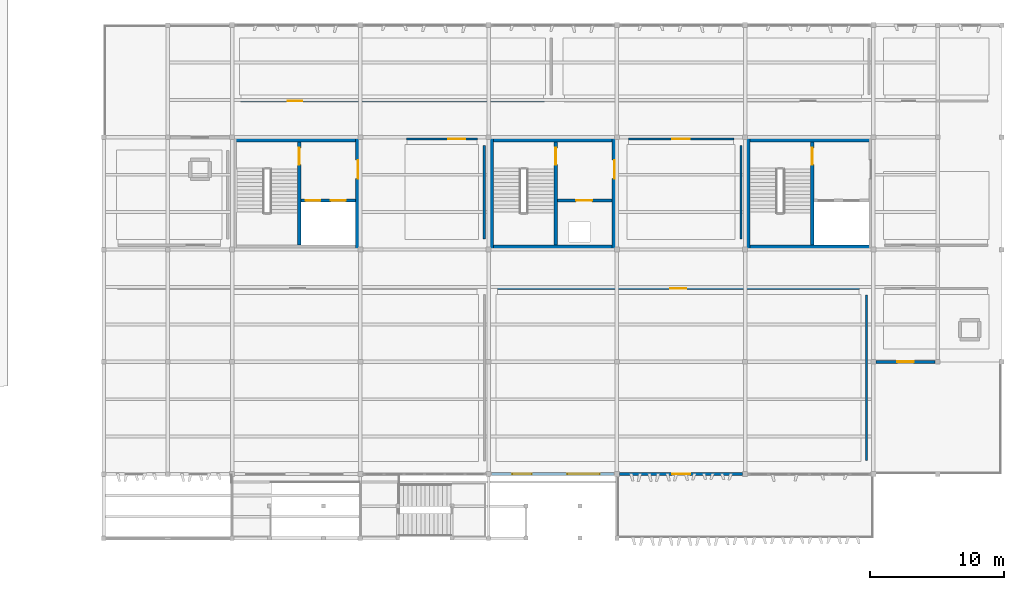
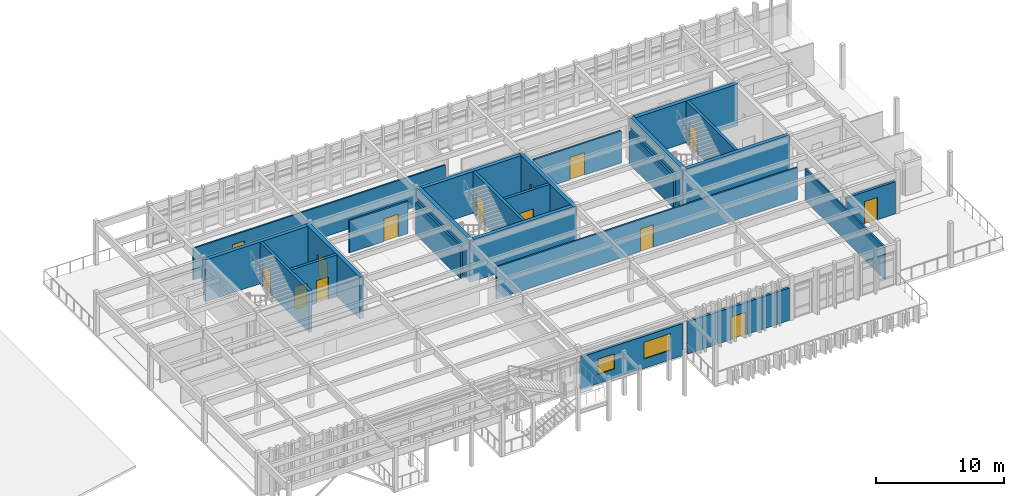
# One storey, part 14 of 18: 24 walls, 14 doors, 2 windows, 16 openings.
"""IFC4 building model written with IfcOpenShell, lengths in metres."""

import ifcopenshell
import ifcopenshell.guid

model = None  # the IFC model being written
_history = None  # IfcOwnerHistory: only IFC2X3 demands one
_inside = {}  # id of a spatial element -> (the spatial element, [elements in it])
_under = {}  # id of a project, library or spatial element -> (it, [spatial elements below it])
_declared = {}  # id of a project -> (the project, [libraries it declares])
_typed = {}  # id of a type object -> (the type object, [elements of that type])
_made_of = {}  # id of a material, layer set ... -> (it, [elements and type objects made of it])


def new_model(schema):
    """Start an empty IFC model of exactly this schema.

    Asked for "IFC4X3", IfcOpenShell would pick the latest addendum, in which some entities
    have other attributes; the version numbers below select the first issue.
    IFC2X3 requires an IfcOwnerHistory on every rooted entity: one is made here for all.
    """
    global model, _history
    if schema == "IFC4X3":
        model = ifcopenshell.file(schema_version=(4, 3, 0, 0))
    else:
        model = ifcopenshell.file(schema=schema)
    _inside.clear()
    _under.clear()
    _declared.clear()
    _typed.clear()
    _made_of.clear()
    _history = None
    if model.schema == "IFC2X3":
        org = make("IfcOrganization", Name="unknown")
        user = make(
            "IfcPersonAndOrganization",
            ThePerson=make("IfcPerson", FamilyName="unknown"),
            TheOrganization=org,
        )
        app = make(
            "IfcApplication",
            ApplicationDeveloper=org,
            Version="unknown",
            ApplicationFullName="unknown",
            ApplicationIdentifier="unknown",
        )
        _history = make(
            "IfcOwnerHistory",
            OwningUser=user,
            OwningApplication=app,
            ChangeAction="ADDED",
            CreationDate=0,
        )
    return model


def make(cls, **values):
    """One entity of the class cls with the attributes given. An attribute that is None is left unset."""
    return model.create_entity(
        cls, **{name: value for name, value in values.items() if value is not None}
    )


def rooted(cls, **values):
    """An entity with a GlobalId (a new one), such as an element, a storey or a relation."""
    return make(cls, GlobalId=ifcopenshell.guid.new(), OwnerHistory=_history, **values)


def si_unit(unit_type, name, prefix=None):
    """IfcSIUnit, for example si_unit("LENGTHUNIT", "METRE", prefix="MILLI")."""
    return make("IfcSIUnit", UnitType=unit_type, Prefix=prefix, Name=name)


def assignment(units):
    """IfcUnitAssignment: the units of a project."""
    return None if units is None else make("IfcUnitAssignment", Units=units)


def point(xyz):
    """IfcCartesianPoint."""
    return None if xyz is None else make("IfcCartesianPoint", Coordinates=xyz)


def direction(xyz):
    """IfcDirection."""
    return None if xyz is None else make("IfcDirection", DirectionRatios=xyz)


def frame(location, z_axis=None, x_axis=None):
    """IfcAxis2Placement3D, a coordinate frame: its origin and axes. An axis left out is left unset."""
    return make(
        "IfcAxis2Placement3D",
        Location=point(location),
        Axis=direction(z_axis),
        RefDirection=direction(x_axis),
    )


def frame_2d(location, x_axis=None):
    """IfcAxis2Placement2D, a coordinate frame in the plane: its origin and x axis."""
    return make(
        "IfcAxis2Placement2D", Location=point(location), RefDirection=direction(x_axis)
    )


def origin():
    """The frame at (0, 0, 0) with its axes left unset."""
    return frame((0.0, 0.0, 0.0))


def place(relative_to, where):
    """IfcLocalPlacement: puts the frame where relative to a parent placement (None: the world)."""
    return make(
        "IfcLocalPlacement", PlacementRelTo=relative_to, RelativePlacement=where
    )


def context(
    kind, dimensions, precision=None, world=None, true_north=None, identifier=None
):
    """IfcGeometricRepresentationContext, for example the 3D "Model" context."""
    return make(
        "IfcGeometricRepresentationContext",
        ContextIdentifier=identifier,
        ContextType=kind,
        CoordinateSpaceDimension=dimensions,
        Precision=precision,
        WorldCoordinateSystem=world,
        TrueNorth=true_north,
    )


def subcontext(parent, identifier, kind, view, scale=None):
    """IfcGeometricRepresentationSubContext, for example "Body" below "Model"."""
    return make(
        "IfcGeometricRepresentationSubContext",
        ContextIdentifier=identifier,
        ContextType=kind,
        ParentContext=parent,
        TargetScale=scale,
        TargetView=view,
    )


def project(units=None, contexts=None):
    """IfcProject with its units and contexts."""
    return rooted(
        "IfcProject",
        Name="project",
        RepresentationContexts=contexts,
        UnitsInContext=assignment(units),
    )


def spatial(cls, under=None, at=None, **own):
    """A site, building, storey or space (cls), placed at a placement, below another one or the project."""
    s = rooted(cls, ObjectPlacement=at, **own)
    if under is not None:
        _under.setdefault(under.id(), (under, []))[1].append(s)
    return s


def profile(cls, at=None, kind="AREA", **sizes):
    """A parametric profile (cls). Its sizes go by their IFC names, for example OverallWidth=200.0."""
    return make(cls, ProfileType=kind, Position=at, **sizes)


def rectangle(**sizes):
    """IfcRectangleProfileDef."""
    return profile("IfcRectangleProfileDef", **sizes)


def extrude(swept, where, along, depth):
    """IfcExtrudedAreaSolid: the profile swept, set in the frame where, extruded along a direction by depth."""
    return make(
        "IfcExtrudedAreaSolid",
        SweptArea=swept,
        Position=where,
        ExtrudedDirection=direction(along),
        Depth=depth,
    )


def shape(context_of_items, identifier, shape_type, items):
    """IfcShapeRepresentation: the items that make up one representation, for example the "Body"."""
    return make(
        "IfcShapeRepresentation",
        ContextOfItems=context_of_items,
        RepresentationIdentifier=identifier,
        RepresentationType=shape_type,
        Items=items,
    )


def material(Name=None, Category=None):
    """IfcMaterial."""
    return make("IfcMaterial", Name=Name, Category=Category)


def layer(
    of_material, thickness, ventilated=None, Name=None, Category=None, Priority=None
):
    """IfcMaterialLayer: one layer of a wall or slab, of a material (None: an air gap)."""
    return make(
        "IfcMaterialLayer",
        Material=of_material,
        LayerThickness=thickness,
        IsVentilated=ventilated,
        Name=Name,
        Category=Category,
        Priority=Priority,
    )


def layer_set(layers, Name=None):
    """IfcMaterialLayerSet."""
    return make("IfcMaterialLayerSet", MaterialLayers=layers, LayerSetName=Name)


def made_of(thing, what):
    """Note that an element or type object is made of a material, layer set ...; save() writes the relation."""
    if what is not None:
        _made_of.setdefault(what.id(), (what, []))[1].append(thing)
    return thing


def type_object(cls, material=None, **own):
    """A type object (cls), such as IfcWallType, which elements share."""
    return made_of(rooted(cls, **own), material)


def element(
    cls,
    number,
    at=None,
    inside=None,
    cuts=None,
    type_object=None,
    material=None,
    context=None,
    identifier="Body",
    shape_type=None,
    held_by="IfcProductDefinitionShape",
    body=None,
    shapes=None,
    **own,
):
    """One element of the class cls, such as IfcWall. Its Tag is "e" and its number.

    at: its placement. inside: the storey or other place that contains it. cuts: it is an
    opening in that element (IfcRelVoidsElement). A single representation is given by context,
    identifier, shape_type and body (its items); several are given by shapes. held_by: the class
    of the entity that holds the representations. save() writes the other relations.
    """
    e = rooted(cls, Tag="e%d" % number, ObjectPlacement=at, **own)
    if body is not None:
        shapes = [shape(context, identifier, shape_type, body)]
    if shapes is not None:
        e.Representation = make(held_by, Representations=shapes)
    if inside is not None:
        _inside.setdefault(inside.id(), (inside, []))[1].append(e)
    if cuts is not None:
        rooted(
            "IfcRelVoidsElement", RelatingBuildingElement=cuts, RelatedOpeningElement=e
        )
    if type_object is not None:
        _typed.setdefault(type_object.id(), (type_object, []))[1].append(e)
    return made_of(e, material)


def fill(opening, filler):
    """IfcRelFillsElement: the door or window that sits in an opening."""
    return rooted(
        "IfcRelFillsElement",
        RelatingOpeningElement=opening,
        RelatedBuildingElement=filler,
    )


def aggregate(whole, parts):
    """IfcRelAggregates: a whole, such as a stair, and the parts it consists of."""
    return rooted("IfcRelAggregates", RelatingObject=whole, RelatedObjects=parts)


def save(model, path):
    """Write the relations noted so far, then the file.

    IfcRelAggregates (storeys below a building ...), IfcRelContainedInSpatialStructure (elements
    in a storey), IfcRelDefinesByType, IfcRelAssociatesMaterial and IfcRelDeclares: one each for
    every whole, place, type object, material and project.
    """
    for whole, parts in _under.values():
        aggregate(whole, parts)
    for where, things in _inside.values():
        rooted(
            "IfcRelContainedInSpatialStructure",
            RelatedElements=things,
            RelatingStructure=where,
        )
    for kind, things in _typed.values():
        rooted("IfcRelDefinesByType", RelatedObjects=things, RelatingType=kind)
    for what, things in _made_of.values():
        rooted("IfcRelAssociatesMaterial", RelatedObjects=things, RelatingMaterial=what)
    for by, libraries in _declared.values():
        rooted("IfcRelDeclares", RelatingContext=by, RelatedDefinitions=libraries)
    model.write(path)


model = new_model("IFC4")

# Units and contexts
model_context = context("Model", 3, precision=1e-05, world=origin(), true_north=direction((0.0, 1.0)))
body_context = subcontext(model_context, "Body", "Model", "MODEL_VIEW")
ifc_project = project(units=[si_unit("LENGTHUNIT", "METRE"), si_unit("AREAUNIT", "SQUARE_METRE"), si_unit("VOLUMEUNIT", "CUBIC_METRE"), si_unit("PLANEANGLEUNIT", "RADIAN"), si_unit("MASSUNIT", "GRAM", prefix="KILO")], contexts=[model_context])

# Site, building, storey
site_placement = place(None, origin())
site = spatial("IfcSite", under=ifc_project, at=site_placement, CompositionType="ELEMENT")
building_placement = place(site_placement, origin())
building = spatial("IfcBuilding", under=site, at=building_placement, Name="Kolvemor Railside Polytechnic", CompositionType="ELEMENT")
storey_placement = place(building_placement, frame((0.0, 0.0, 18.60009765625)))
storey = spatial("IfcBuildingStorey", under=building, at=storey_placement, Name="L04", CompositionType="ELEMENT", Elevation=18.60009765625)

# Wall
ifc_material_1 = material(Name="Concrete C40/50", Category="concrete")
ifc_layer_1 = layer(ifc_material_1, 0.35009765625, Name="WL-CORE-350")
ifc_layer_set_1 = layer_set([ifc_layer_1], Name="Concrete C40/50")
wall_type_1 = type_object("IfcWallType", Name="WL-CORE-350", PredefinedType="SHEAR", material=ifc_layer_set_1)
wall_1_placement = place(storey_placement, frame((67.199951171875, 29.824951171875, 0.0), z_axis=(0.0, 0.0, 1.0), x_axis=(1.0, 0.0, 0.0)))
element("IfcWall", 1, at=wall_1_placement, inside=storey, type_object=wall_type_1, Name="CORE-1 North Core Wall L04", PredefinedType="SHEAR", context=body_context, shape_type="SweptSolid", body=[
    extrude(rectangle(XDim=9.60009765625, YDim=0.35009765625, at=frame_2d((4.800048828125, 0.0))), origin(), (0.0, 0.0, 1.0), 3.969970703125),
])

# Wall, opening, door
wall_2_placement = place(storey_placement, frame((76.625, 21.60009765625, 0.0), z_axis=(0.0, 0.0, 1.0), x_axis=(0.0, 1.0, 0.0)))
wall_2 = element("IfcWall", 2, at=wall_2_placement, inside=storey, type_object=wall_type_1, Name="CORE-1 East Core Wall L04", PredefinedType="SHEAR", context=body_context, shape_type="SweptSolid", body=[
    extrude(rectangle(XDim=8.39990234375, YDim=0.35009765625, at=frame_2d((4.199951171875, 0.0))), origin(), (0.0, 0.0, 1.0), 3.969970703125),
])
opening_1_placement = place(wall_2_placement, frame((5.300048828125, 0.0, 0.0)))
opening_1 = element("IfcOpeningElement", 3, at=opening_1_placement, cuts=wall_2, Name="Opening D-LOB-1-L04", PredefinedType="OPENING", context=body_context, shape_type="SweptSolid", body=[
    extrude(rectangle(XDim=1.39990234375, YDim=2.14990234375, at=frame_2d((0.699951171875, 1.074951171875))), frame((0.0, 0.18505859375, 0.0), z_axis=(0.0, -1.0, 0.0), x_axis=(1.0, 0.0, 0.0)), (0.0, 0.0, 1.0), 0.3701171875),
])
ifc_material_2 = material(Name="Fire-rated hardwood and brushed stainless-steel door", Category="steel")
door_type_1 = type_object("IfcDoorType", Name="DR-FD60-140x215", OperationType="NOTDEFINED", PredefinedType="DOOR", material=ifc_material_2)
door_1_placement = place(opening_1_placement, origin())
door_1 = element("IfcDoor", 4, at=door_1_placement, inside=storey, type_object=door_type_1, Name="Core Lobby Fire Door CORE-1 L04", OperationType="SINGLE_SWING_RIGHT", OverallHeight=2.14990234375, OverallWidth=1.39990234375, PredefinedType="DOOR", context=body_context, shape_type="SweptSolid", body=[
    extrude(rectangle(XDim=1.39990234375, YDim=2.14990234375, at=frame_2d((0.699951171875, 1.074951171875))), frame((0.0, 0.02490234375, 0.0), z_axis=(0.0, -1.0, 0.0), x_axis=(1.0, 0.0, 0.0)), (0.0, 0.0, 1.0), 0.050048828125),
])
fill(opening_1, door_1)

# Walls
for number, where, z_axis, x_axis, name in (
    (5, (105.60009765625, 29.824951171875, 0.0), (0.0, 0.0, 1.0), (1.0, 0.0, 0.0), "CORE-2 North Core Wall L04"),
    (6, (105.60009765625, 21.77490234375, 0.0), (0.0, 0.0, 1.0), (1.0, 0.0, 0.0), "CORE-2 South Core Wall L04"),
):
    element("IfcWall", number, at=place(storey_placement, frame(where, z_axis=z_axis, x_axis=x_axis)), inside=storey, type_object=wall_type_1, Name=name, PredefinedType="SHEAR", context=body_context, shape_type="SweptSolid", body=[
        extrude(rectangle(XDim=9.599853515625, YDim=0.35009765625, at=frame_2d((4.7998046875, 0.0))), origin(), (0.0, 0.0, 1.0), 3.969970703125),
    ])
wall_3_placement = place(storey_placement, frame((105.77490234375, 21.60009765625, 0.0), z_axis=(0.0, 0.0, 1.0), x_axis=(0.0, 1.0, 0.0)))
element("IfcWall", 7, at=wall_3_placement, inside=storey, type_object=wall_type_1, Name="CORE-2 West Core Wall L04", PredefinedType="SHEAR", context=body_context, shape_type="SweptSolid", body=[
    extrude(rectangle(XDim=8.39990234375, YDim=0.35009765625, at=frame_2d((4.199951171875, 0.0))), origin(), (0.0, 0.0, 1.0), 3.969970703125),
])
for number, where, z_axis, x_axis, name in (
    (8, (86.39990234375, 29.824951171875, 0.0), (0.0, 0.0, 1.0), (1.0, 0.0, 0.0), "CORE-3 North Core Wall L04"),
    (9, (86.39990234375, 21.77490234375, 0.0), (0.0, 0.0, 1.0), (1.0, 0.0, 0.0), "CORE-3 South Core Wall L04"),
):
    element("IfcWall", number, at=place(storey_placement, frame(where, z_axis=z_axis, x_axis=x_axis)), inside=storey, type_object=wall_type_1, Name=name, PredefinedType="SHEAR", context=body_context, shape_type="SweptSolid", body=[
        extrude(rectangle(XDim=9.60009765625, YDim=0.35009765625, at=frame_2d((4.800048828125, 0.0))), origin(), (0.0, 0.0, 1.0), 3.969970703125),
    ])
wall_4_placement = place(storey_placement, frame((86.574951171875, 21.60009765625, 0.0), z_axis=(0.0, 0.0, 1.0), x_axis=(0.0, 1.0, 0.0)))
element("IfcWall", 10, at=wall_4_placement, inside=storey, type_object=wall_type_1, Name="CORE-3 West Core Wall L04", PredefinedType="SHEAR", context=body_context, shape_type="SweptSolid", body=[
    extrude(rectangle(XDim=8.39990234375, YDim=0.35009765625, at=frame_2d((4.199951171875, 0.0))), origin(), (0.0, 0.0, 1.0), 3.969970703125),
])

# Wall, opening, door
wall_5_placement = place(storey_placement, frame((95.824951171875, 21.60009765625, 0.0), z_axis=(0.0, 0.0, 1.0), x_axis=(0.0, 1.0, 0.0)))
wall_5 = element("IfcWall", 11, at=wall_5_placement, inside=storey, type_object=wall_type_1, Name="CORE-3 East Core Wall L04", PredefinedType="SHEAR", context=body_context, shape_type="SweptSolid", body=[
    extrude(rectangle(XDim=8.39990234375, YDim=0.35009765625, at=frame_2d((4.199951171875, 0.0))), origin(), (0.0, 0.0, 1.0), 3.969970703125),
])
opening_2_placement = place(wall_5_placement, frame((5.300048828125, 0.0, 0.0)))
opening_2 = element("IfcOpeningElement", 12, at=opening_2_placement, cuts=wall_5, Name="Opening D-LOB-3-L04", PredefinedType="OPENING", context=body_context, shape_type="SweptSolid", body=[
    extrude(rectangle(XDim=1.39990234375, YDim=2.14990234375, at=frame_2d((0.699951171875, 1.074951171875))), frame((0.0, 0.18505859375, 0.0), z_axis=(0.0, -1.0, 0.0), x_axis=(1.0, 0.0, 0.0)), (0.0, 0.0, 1.0), 0.3701171875),
])
door_2_placement = place(opening_2_placement, origin())
door_2 = element("IfcDoor", 13, at=door_2_placement, inside=storey, type_object=door_type_1, Name="Core Lobby Fire Door CORE-3 L04", OperationType="SINGLE_SWING_LEFT", OverallHeight=2.14990234375, OverallWidth=1.39990234375, PredefinedType="DOOR", context=body_context, shape_type="SweptSolid", body=[
    extrude(rectangle(XDim=1.39990234375, YDim=2.14990234375, at=frame_2d((0.699951171875, 1.074951171875))), frame((0.0, 0.02490234375, 0.0), z_axis=(0.0, -1.0, 0.0), x_axis=(1.0, 0.0, 0.0)), (0.0, 0.0, 1.0), 0.050048828125),
])
fill(opening_2, door_2)

# Wall, openings, windows
ifc_material_3 = material(Name="Cross-laminated timber CLT E1", Category="wood")
ifc_layer_2 = layer(ifc_material_3, 0.22509765625, Name="WL-EXT-TM-225")
ifc_layer_set_2 = layer_set([ifc_layer_2], Name="Cross-laminated timber CLT E1")
wall_type_2 = type_object("IfcWallType", Name="WL-EXT-TM-225", PredefinedType="SOLIDWALL", material=ifc_layer_set_2)
wall_6_placement = place(storey_placement, frame((86.60009765625, 4.800048828125, 0.0), z_axis=(0.0, 0.0, 1.0), x_axis=(1.0, 0.0, 0.0)))
wall_6 = element("IfcWall", 14, at=wall_6_placement, inside=storey, type_object=wall_type_2, Name="Exterior Wall L04-0136", PredefinedType="SOLIDWALL", context=body_context, shape_type="SweptSolid", body=[
    extrude(rectangle(XDim=9.199951171875, YDim=0.22509765625, at=frame_2d((4.60009765625, 0.0))), origin(), (0.0, 0.0, 1.0), 3.06982421875),
])
opening_3_placement = place(wall_6_placement, frame((1.574951171875, 0.0, 0.89990234375)))
opening_3 = element("IfcOpeningElement", 15, at=opening_3_placement, cuts=wall_6, Name="Opening WN-M02", PredefinedType="OPENING", context=body_context, shape_type="SweptSolid", body=[
    extrude(rectangle(XDim=1.449951171875, YDim=1.449951171875, at=frame_2d((0.72509765625, 0.72509765625))), frame((0.0, 0.12255859375, 0.0), z_axis=(0.0, -1.0, 0.0), x_axis=(1.0, 0.0, 0.0)), (0.0, 0.0, 1.0), 0.2451171875),
])
opening_4_placement = place(wall_6_placement, frame((5.699951171875, 0.0, 0.89990234375)))
opening_4 = element("IfcOpeningElement", 16, at=opening_4_placement, cuts=wall_6, Name="Opening WN-STU3", PredefinedType="OPENING", context=body_context, shape_type="SweptSolid", body=[
    extrude(rectangle(XDim=2.39990234375, YDim=1.60009765625, at=frame_2d((1.199951171875, 0.800048828125))), frame((0.0, 0.12255859375, 0.0), z_axis=(0.0, -1.0, 0.0), x_axis=(1.0, 0.0, 0.0)), (0.0, 0.0, 1.0), 0.2451171875),
])
ifc_material_4 = material(Name="Hurricane-laminated thermally broken aluminium window", Category="aluminium")
window_type_1 = type_object("IfcWindowType", Name="WN-MOD-145x145", PartitioningType="SINGLE_PANEL", PredefinedType="WINDOW", material=ifc_material_4)
window_1_placement = place(opening_3_placement, origin())
window_1 = element("IfcWindow", 17, at=window_1_placement, inside=storey, type_object=window_type_1, Name="Window L04-0146", OverallHeight=1.449951171875, OverallWidth=1.449951171875, PartitioningType="SINGLE_PANEL", PredefinedType="WINDOW", context=body_context, shape_type="SweptSolid", body=[
    extrude(rectangle(XDim=1.449951171875, YDim=1.449951171875, at=frame_2d((0.72509765625, 0.72509765625))), frame((0.0, 0.030029296875, 0.0), z_axis=(0.0, -1.0, 0.0), x_axis=(1.0, 0.0, 0.0)), (0.0, 0.0, 1.0), 0.06005859375),
])
fill(opening_3, window_1)
ifc_material_5 = material(Name="Hurricane-laminated thermally broken aluminium window", Category="aluminium")
window_type_2 = type_object("IfcWindowType", Name="WN-STU-240x160", PartitioningType="DOUBLE_PANEL_VERTICAL", PredefinedType="WINDOW", material=ifc_material_5)
window_2_placement = place(opening_4_placement, origin())
window_2 = element("IfcWindow", 18, at=window_2_placement, inside=storey, type_object=window_type_2, Name="Window L04-0147", OverallHeight=1.60009765625, OverallWidth=2.39990234375, PartitioningType="SINGLE_PANEL", PredefinedType="WINDOW", context=body_context, shape_type="SweptSolid", body=[
    extrude(rectangle(XDim=2.39990234375, YDim=1.60009765625, at=frame_2d((1.199951171875, 0.800048828125))), frame((0.0, 0.030029296875, 0.0), z_axis=(0.0, -1.0, 0.0), x_axis=(1.0, 0.0, 0.0)), (0.0, 0.0, 1.0), 0.06005859375),
])
fill(opening_4, window_2)

# Wall, opening, door
wall_7_placement = place(storey_placement, frame((96.199951171875, 4.800048828125, 0.0), z_axis=(0.0, 0.0, 1.0), x_axis=(1.0, 0.0, 0.0)))
wall_7 = element("IfcWall", 19, at=wall_7_placement, inside=storey, type_object=wall_type_2, Name="Exterior Wall L04-0137", PredefinedType="SOLIDWALL", context=body_context, shape_type="SweptSolid", body=[
    extrude(rectangle(XDim=9.199951171875, YDim=0.22509765625, at=frame_2d((4.60009765625, 0.0))), origin(), (0.0, 0.0, 1.0), 3.06982421875),
])
opening_5_placement = place(wall_7_placement, frame((3.925048828125, 0.0, 0.0)))
opening_5 = element("IfcOpeningElement", 20, at=opening_5_placement, cuts=wall_7, Name="Opening D-TER-L04SEP", PredefinedType="OPENING", context=body_context, shape_type="SweptSolid", body=[
    extrude(rectangle(XDim=1.35009765625, YDim=2.14990234375, at=frame_2d((0.675048828125, 1.074951171875))), frame((0.0, 0.12255859375, 0.0), z_axis=(0.0, -1.0, 0.0), x_axis=(1.0, 0.0, 0.0)), (0.0, 0.0, 1.0), 0.2451171875),
])
ifc_material_6 = material(Name="Marine-grade thermally broken aluminium and laminated glass door", Category="aluminium")
door_type_2 = type_object("IfcDoorType", Name="DR-TER-135x215", OperationType="NOTDEFINED", PredefinedType="DOOR", material=ifc_material_6)
door_3_placement = place(opening_5_placement, origin())
door_3 = element("IfcDoor", 21, at=door_3_placement, inside=storey, type_object=door_type_2, Name="Exterior Door D-TER-L04SEP", OperationType="SINGLE_SWING_RIGHT", OverallHeight=2.14990234375, OverallWidth=1.35009765625, PredefinedType="DOOR", context=body_context, shape_type="SweptSolid", body=[
    extrude(rectangle(XDim=1.35009765625, YDim=2.14990234375, at=frame_2d((0.675048828125, 1.074951171875))), frame((0.0, 0.02490234375, 0.0), z_axis=(0.0, -1.0, 0.0), x_axis=(1.0, 0.0, 0.0)), (0.0, 0.0, 1.0), 0.050048828125),
])
fill(opening_5, door_3)

wall_8_placement = place(storey_placement, frame((119.800048828125, 13.199951171875, 0.0), z_axis=(0.0, 0.0, 1.0), x_axis=(-1.0, 0.0, 0.0)))
wall_8 = element("IfcWall", 22, at=wall_8_placement, inside=storey, type_object=wall_type_2, Name="Exterior Wall L04-0173", PredefinedType="SOLIDWALL", context=body_context, shape_type="SweptSolid", body=[
    extrude(rectangle(XDim=4.400146484375, YDim=0.22509765625, at=frame_2d((2.2001953125, 0.0))), origin(), (0.0, 0.0, 1.0), 3.06982421875),
])
opening_6_placement = place(wall_8_placement, frame((1.60009765625, 0.0, 0.0)))
opening_6 = element("IfcOpeningElement", 23, at=opening_6_placement, cuts=wall_8, Name="Opening D-TER-L04SE", PredefinedType="OPENING", context=body_context, shape_type="SweptSolid", body=[
    extrude(rectangle(XDim=1.199951171875, YDim=2.14990234375, at=frame_2d((0.60009765625, 1.074951171875))), frame((0.0, 0.12255859375, 0.0), z_axis=(0.0, -1.0, 0.0), x_axis=(1.0, 0.0, 0.0)), (0.0, 0.0, 1.0), 0.2451171875),
])
ifc_material_7 = material(Name="Marine-grade thermally broken aluminium and laminated glass door", Category="aluminium")
door_type_3 = type_object("IfcDoorType", Name="DR-TER-120x215", OperationType="NOTDEFINED", PredefinedType="DOOR", material=ifc_material_7)
door_4_placement = place(opening_6_placement, origin())
door_4 = element("IfcDoor", 24, at=door_4_placement, inside=storey, type_object=door_type_3, Name="Exterior Door D-TER-L04SE", OperationType="SINGLE_SWING_LEFT", OverallHeight=2.14990234375, OverallWidth=1.199951171875, PredefinedType="DOOR", context=body_context, shape_type="SweptSolid", body=[
    extrude(rectangle(XDim=1.199951171875, YDim=2.14990234375, at=frame_2d((0.60009765625, 1.074951171875))), frame((0.0, 0.02490234375, 0.0), z_axis=(0.0, -1.0, 0.0), x_axis=(1.0, 0.0, 0.0)), (0.0, 0.0, 1.0), 0.050048828125),
])
fill(opening_6, door_4)

ifc_material_8 = material(Name="Seminar acoustic partition")
ifc_layer_3 = layer(ifc_material_8, 0.139892578125, Name="WL-PART-140")
ifc_layer_set_3 = layer_set([ifc_layer_3], Name="Seminar acoustic partition")
wall_type_3 = type_object("IfcWallType", Name="WL-PART-140", PredefinedType="PARTITIONING", material=ifc_layer_set_3)
wall_9_placement = place(storey_placement, frame((67.85009765625, 32.719970703125, 0.0), z_axis=(0.0, 0.0, 1.0), x_axis=(1.0, 0.0, 0.0)))
wall_9 = element("IfcWall", 25, at=wall_9_placement, inside=storey, type_object=wall_type_3, Name="Partition Wall L04-0204", PredefinedType="PARTITIONING", context=body_context, shape_type="SweptSolid", body=[
    extrude(rectangle(XDim=22.699951171875, YDim=0.139892578125, at=frame_2d((11.35009765625, 0.0))), origin(), (0.0, 0.0, 1.0), 3.0498046875),
])
opening_7_placement = place(wall_9_placement, frame((3.52294921875, 0.0, 0.0)))
opening_7 = element("IfcOpeningElement", 26, at=opening_7_placement, cuts=wall_9, Name="Opening D-04116", PredefinedType="OPENING", context=body_context, shape_type="SweptSolid", body=[
    extrude(rectangle(XDim=1.080078125, YDim=2.14990234375, at=frame_2d((0.5400390625, 1.074951171875))), frame((0.0, 0.079833984375, 0.0), z_axis=(0.0, -1.0, 0.0), x_axis=(1.0, 0.0, 0.0)), (0.0, 0.0, 1.0), 0.159912109375),
])
ifc_material_9 = material(Name="Solid hardwood acoustic door", Category="wood")
door_type_4 = type_object("IfcDoorType", Name="DR-SEM-108x215", OperationType="NOTDEFINED", PredefinedType="DOOR", material=ifc_material_9)
door_5_placement = place(opening_7_placement, origin())
door_5 = element("IfcDoor", 27, at=door_5_placement, inside=storey, type_object=door_type_4, Name="Room Door D-04116 (Seminar Room 401)", OperationType="SINGLE_SWING_LEFT", OverallHeight=2.14990234375, OverallWidth=1.080078125, PredefinedType="DOOR", context=body_context, shape_type="SweptSolid", body=[
    extrude(rectangle(XDim=1.080078125, YDim=2.14990234375, at=frame_2d((0.5400390625, 1.074951171875))), frame((0.0, 0.02490234375, 0.0), z_axis=(0.0, -1.0, 0.0), x_axis=(1.0, 0.0, 0.0)), (0.0, 0.0, 1.0), 0.050048828125),
])
fill(opening_7, door_5)

ifc_material_10 = material(Name="Acoustic studio partition")
ifc_layer_4 = layer(ifc_material_10, 0.14990234375, Name="WL-PART-150")
ifc_layer_set_4 = layer_set([ifc_layer_4], Name="Acoustic studio partition")
wall_type_4 = type_object("IfcWallType", Name="WL-PART-150", PredefinedType="PARTITIONING", material=ifc_layer_set_4)
wall_10_placement = place(storey_placement, frame((87.050048828125, 18.679931640625, 0.0), z_axis=(0.0, 0.0, 1.0), x_axis=(1.0, 0.0, 0.0)))
wall_10 = element("IfcWall", 28, at=wall_10_placement, inside=storey, type_object=wall_type_4, Name="Partition Wall L04-0193", PredefinedType="PARTITIONING", context=body_context, shape_type="SweptSolid", body=[
    extrude(rectangle(XDim=27.099853515625, YDim=0.14990234375, at=frame_2d((13.5498046875, 0.0))), origin(), (0.0, 0.0, 1.0), 3.0498046875),
])
opening_8_placement = place(wall_10_placement, frame((12.9599609375, 0.0, 0.0)))
opening_8 = element("IfcOpeningElement", 29, at=opening_8_placement, cuts=wall_10, Name="Opening D-04109", PredefinedType="OPENING", context=body_context, shape_type="SweptSolid", body=[
    extrude(rectangle(XDim=1.179931640625, YDim=2.14990234375, at=frame_2d((0.58984375, 1.074951171875))), frame((0.0, 0.0849609375, 0.0), z_axis=(0.0, -1.0, 0.0), x_axis=(1.0, 0.0, 0.0)), (0.0, 0.0, 1.0), 0.169921875),
])
ifc_material_11 = material(Name="Solid hardwood acoustic door", Category="wood")
door_type_5 = type_object("IfcDoorType", Name="DR-STU-118x215", OperationType="NOTDEFINED", PredefinedType="DOOR", material=ifc_material_11)
door_6_placement = place(opening_8_placement, origin())
door_6 = element("IfcDoor", 30, at=door_6_placement, inside=storey, type_object=door_type_5, Name="Room Door D-04109 (Parametric Computation Design Studio)", OperationType="SINGLE_SWING_RIGHT", OverallHeight=2.14990234375, OverallWidth=1.179931640625, PredefinedType="DOOR", context=body_context, shape_type="SweptSolid", body=[
    extrude(rectangle(XDim=1.179931640625, YDim=2.14990234375, at=frame_2d((0.58984375, 1.074951171875))), frame((0.0, 0.02490234375, 0.0), z_axis=(0.0, -1.0, 0.0), x_axis=(1.0, 0.0, 0.0)), (0.0, 0.0, 1.0), 0.050048828125),
])
fill(opening_8, door_6)

# Wall
wall_11_placement = place(storey_placement, frame((114.679931640625, 5.800048828125, 0.0), z_axis=(0.0, 0.0, 1.0), x_axis=(0.0, 1.0, 0.0)))
element("IfcWall", 31, at=wall_11_placement, inside=storey, type_object=wall_type_4, Name="Demising Partition L04-0194", PredefinedType="PARTITIONING", context=body_context, shape_type="SweptSolid", body=[
    extrude(rectangle(XDim=12.39990234375, YDim=0.14990234375, at=frame_2d((6.199951171875, 0.0))), origin(), (0.0, 0.0, 1.0), 3.0498046875),
])

# Wall, opening, door
ifc_material_12 = material(Name="Fire-rated laboratory corridor partition")
ifc_layer_5 = layer(ifc_material_12, 0.1650390625, Name="WL-PART-165")
ifc_layer_set_5 = layer_set([ifc_layer_5], Name="Fire-rated laboratory corridor partition")
wall_type_5 = type_object("IfcWallType", Name="WL-PART-165", PredefinedType="PARTITIONING", material=ifc_layer_set_5)
wall_12_placement = place(storey_placement, frame((80.25, 29.8798828125, 0.0), z_axis=(0.0, 0.0, 1.0), x_axis=(1.0, 0.0, 0.0)))
wall_12 = element("IfcWall", 32, at=wall_12_placement, inside=storey, type_object=wall_type_5, Name="Partition Wall L04-0197", PredefinedType="PARTITIONING", context=body_context, shape_type="SweptSolid", body=[
    extrude(rectangle(XDim=5.300048828125, YDim=0.1650390625, at=frame_2d((2.64990234375, 0.0))), origin(), (0.0, 0.0, 1.0), 3.0498046875),
])
opening_9_placement = place(wall_12_placement, frame((3.1201171875, 0.0, 0.0)))
opening_9 = element("IfcOpeningElement", 33, at=opening_9_placement, cuts=wall_12, Name="Opening D-04111", PredefinedType="OPENING", context=body_context, shape_type="SweptSolid", body=[
    extrude(rectangle(XDim=1.300048828125, YDim=2.14990234375, at=frame_2d((0.64990234375, 1.074951171875))), frame((0.0, 0.092529296875, 0.0), z_axis=(0.0, -1.0, 0.0), x_axis=(1.0, 0.0, 0.0)), (0.0, 0.0, 1.0), 0.18505859375),
])
ifc_material_13 = material(Name="Fire-rated hardwood and brushed stainless-steel door", Category="steel")
door_type_6 = type_object("IfcDoorType", Name="DR-LAB-130x215", OperationType="NOTDEFINED", PredefinedType="DOOR", material=ifc_material_13)
door_7_placement = place(opening_9_placement, origin())
door_7 = element("IfcDoor", 34, at=door_7_placement, inside=storey, type_object=door_type_6, Name="Room Door D-04111 (Cyber-Physical Systems Laboratory)", OperationType="SINGLE_SWING_RIGHT", OverallHeight=2.14990234375, OverallWidth=1.300048828125, PredefinedType="DOOR", context=body_context, shape_type="SweptSolid", body=[
    extrude(rectangle(XDim=1.300048828125, YDim=2.14990234375, at=frame_2d((0.64990234375, 1.074951171875))), frame((0.0, 0.02490234375, 0.0), z_axis=(0.0, -1.0, 0.0), x_axis=(1.0, 0.0, 0.0)), (0.0, 0.0, 1.0), 0.050048828125),
])
fill(opening_9, door_7)

# Wall
wall_13_placement = place(storey_placement, frame((86.080078125, 22.39990234375, 0.0), z_axis=(0.0, 0.0, 1.0), x_axis=(0.0, 1.0, 0.0)))
element("IfcWall", 35, at=wall_13_placement, inside=storey, type_object=wall_type_5, Name="Demising Partition L04-0198", PredefinedType="PARTITIONING", context=body_context, shape_type="SweptSolid", body=[
    extrude(rectangle(XDim=7.0, YDim=0.1650390625, at=frame_2d((3.5, 0.0))), origin(), (0.0, 0.0, 1.0), 3.0498046875),
])

# Wall, opening, door
wall_14_placement = place(storey_placement, frame((96.85009765625, 29.8798828125, 0.0), z_axis=(0.0, 0.0, 1.0), x_axis=(1.0, 0.0, 0.0)))
wall_14 = element("IfcWall", 36, at=wall_14_placement, inside=storey, type_object=wall_type_5, Name="Partition Wall L04-0199", PredefinedType="PARTITIONING", context=body_context, shape_type="SweptSolid", body=[
    extrude(rectangle(XDim=7.89990234375, YDim=0.1650390625, at=frame_2d((3.949951171875, 0.0))), origin(), (0.0, 0.0, 1.0), 3.0498046875),
])
opening_10_placement = place(wall_14_placement, frame((3.300048828125, 0.0, 0.0)))
opening_10 = element("IfcOpeningElement", 37, at=opening_10_placement, cuts=wall_14, Name="Opening D-04112", PredefinedType="OPENING", context=body_context, shape_type="SweptSolid", body=[
    extrude(rectangle(XDim=1.300048828125, YDim=2.14990234375, at=frame_2d((0.64990234375, 1.074951171875))), frame((0.0, 0.092529296875, 0.0), z_axis=(0.0, -1.0, 0.0), x_axis=(1.0, 0.0, 0.0)), (0.0, 0.0, 1.0), 0.18505859375),
])
door_8_placement = place(opening_10_placement, origin())
door_8 = element("IfcDoor", 38, at=door_8_placement, inside=storey, type_object=door_type_6, Name="Room Door D-04112 (Renewable Desalination Research Laboratory)", OperationType="SINGLE_SWING_LEFT", OverallHeight=2.14990234375, OverallWidth=1.300048828125, PredefinedType="DOOR", context=body_context, shape_type="SweptSolid", body=[
    extrude(rectangle(XDim=1.300048828125, YDim=2.14990234375, at=frame_2d((0.64990234375, 1.074951171875))), frame((0.0, 0.02490234375, 0.0), z_axis=(0.0, -1.0, 0.0), x_axis=(1.0, 0.0, 0.0)), (0.0, 0.0, 1.0), 0.050048828125),
])
fill(opening_10, door_8)

# Wall
wall_15_placement = place(storey_placement, frame((105.280029296875, 22.39990234375, 0.0), z_axis=(0.0, 0.0, 1.0), x_axis=(0.0, 1.0, 0.0)))
element("IfcWall", 39, at=wall_15_placement, inside=storey, type_object=wall_type_5, Name="Demising Partition L04-0200", PredefinedType="PARTITIONING", context=body_context, shape_type="SweptSolid", body=[
    extrude(rectangle(XDim=7.0, YDim=0.1650390625, at=frame_2d((3.5, 0.0))), origin(), (0.0, 0.0, 1.0), 3.0498046875),
])

# Wall, opening, door
ifc_material_14 = material(Name="Concrete C40/50", Category="concrete")
ifc_layer_6 = layer(ifc_material_14, 0.25, Name="WL-SHFT-250")
ifc_layer_set_6 = layer_set([ifc_layer_6], Name="Concrete C40/50")
wall_type_6 = type_object("IfcWallType", Name="WL-SHFT-250", PredefinedType="SHEAR", material=ifc_layer_set_6)
wall_16_placement = place(storey_placement, frame((72.22509765625, 29.64990234375, 0.0), z_axis=(0.0, 0.0, 1.0), x_axis=(0.0, -1.0, 0.0)))
wall_16 = element("IfcWall", 40, at=wall_16_placement, inside=storey, type_object=wall_type_6, Name="CORE-1 Stair-Lobby Divider Wall L04", PredefinedType="SHEAR", context=body_context, shape_type="SweptSolid", body=[
    extrude(rectangle(XDim=7.699951171875, YDim=0.25, at=frame_2d((3.85009765625, 0.0))), origin(), (0.0, 0.0, 1.0), 3.969970703125),
])
opening_11_placement = place(wall_16_placement, frame((0.449951171875, 0.0, 0.0)))
opening_11 = element("IfcOpeningElement", 41, at=opening_11_placement, cuts=wall_16, Name="Opening D-ST-1-L04", PredefinedType="OPENING", context=body_context, shape_type="SweptSolid", body=[
    extrude(rectangle(XDim=1.25, YDim=2.14990234375, at=frame_2d((0.625, 1.074951171875))), frame((0.0, 0.135009765625, 0.0), z_axis=(0.0, -1.0, 0.0), x_axis=(1.0, 0.0, 0.0)), (0.0, 0.0, 1.0), 0.27001953125),
])
ifc_material_15 = material(Name="Fire-rated hardwood and brushed stainless-steel door", Category="steel")
door_type_7 = type_object("IfcDoorType", Name="DR-FD90-125x215", OperationType="NOTDEFINED", PredefinedType="DOOR", material=ifc_material_15)
door_9_placement = place(opening_11_placement, origin())
door_9 = element("IfcDoor", 42, at=door_9_placement, inside=storey, type_object=door_type_7, Name="Stair Fire Door ST-1 L04", OperationType="SINGLE_SWING_LEFT", OverallHeight=2.14990234375, OverallWidth=1.25, PredefinedType="DOOR", context=body_context, shape_type="SweptSolid", body=[
    extrude(rectangle(XDim=1.25, YDim=2.14990234375, at=frame_2d((0.625, 1.074951171875))), frame((0.0, 0.02490234375, 0.0), z_axis=(0.0, -1.0, 0.0), x_axis=(1.0, 0.0, 0.0)), (0.0, 0.0, 1.0), 0.050048828125),
])
fill(opening_11, door_9)

# Wall, openings, doors
wall_17_placement = place(storey_placement, frame((72.35009765625, 25.27490234375, 0.0), z_axis=(0.0, 0.0, 1.0), x_axis=(1.0, 0.0, 0.0)))
wall_17 = element("IfcWall", 43, at=wall_17_placement, inside=storey, type_object=wall_type_6, Name="CORE-1 Lift Shaft Front Wall L04", PredefinedType="SHEAR", context=body_context, shape_type="SweptSolid", body=[
    extrude(rectangle(XDim=4.099853515625, YDim=0.25, at=frame_2d((2.0498046875, 0.0))), origin(), (0.0, 0.0, 1.0), 3.969970703125),
])
opening_12_placement = place(wall_17_placement, frame((0.35009765625, 0.0, 0.0)))
opening_12 = element("IfcOpeningElement", 44, at=opening_12_placement, cuts=wall_17, Name="Opening LD-FL-1-L04", PredefinedType="OPENING", context=body_context, shape_type="SweptSolid", body=[
    extrude(rectangle(XDim=1.10009765625, YDim=2.14990234375, at=frame_2d((0.550048828125, 1.074951171875))), frame((0.0, 0.135009765625, 0.0), z_axis=(0.0, -1.0, 0.0), x_axis=(1.0, 0.0, 0.0)), (0.0, 0.0, 1.0), 0.27001953125),
])
opening_13_placement = place(wall_17_placement, frame((2.25, 0.0, 0.0)))
opening_13 = element("IfcOpeningElement", 45, at=opening_13_placement, cuts=wall_17, Name="Opening LD-PL-1-L04", PredefinedType="OPENING", context=body_context, shape_type="SweptSolid", body=[
    extrude(rectangle(XDim=1.10009765625, YDim=2.14990234375, at=frame_2d((0.550048828125, 1.074951171875))), frame((0.0, 0.135009765625, 0.0), z_axis=(0.0, -1.0, 0.0), x_axis=(1.0, 0.0, 0.0)), (0.0, 0.0, 1.0), 0.27001953125),
])
ifc_material_16 = material(Name="Fire-rated hardwood and brushed stainless-steel door", Category="steel")
door_type_8 = type_object("IfcDoorType", Name="DR-LIFT-110x215", OperationType="SLIDING_TO_LEFT", PredefinedType="DOOR", material=ifc_material_16)
door_10_placement = place(opening_12_placement, origin())
door_10 = element("IfcDoor", 46, at=door_10_placement, inside=storey, type_object=door_type_8, Name="Lift Landing Sliding Door FL-1 L04", OperationType="SLIDING_TO_LEFT", OverallHeight=2.14990234375, OverallWidth=1.10009765625, PredefinedType="DOOR", context=body_context, shape_type="SweptSolid", body=[
    extrude(rectangle(XDim=1.10009765625, YDim=2.14990234375, at=frame_2d((0.550048828125, 1.074951171875))), frame((0.0, 0.02490234375, 0.0), z_axis=(0.0, -1.0, 0.0), x_axis=(1.0, 0.0, 0.0)), (0.0, 0.0, 1.0), 0.050048828125),
])
fill(opening_12, door_10)
door_11_placement = place(opening_13_placement, origin())
door_11 = element("IfcDoor", 47, at=door_11_placement, inside=storey, type_object=door_type_8, Name="Lift Landing Sliding Door PL-1 L04", OperationType="SLIDING_TO_LEFT", OverallHeight=2.14990234375, OverallWidth=1.10009765625, PredefinedType="DOOR", context=body_context, shape_type="SweptSolid", body=[
    extrude(rectangle(XDim=1.10009765625, YDim=2.14990234375, at=frame_2d((0.550048828125, 1.074951171875))), frame((0.0, 0.02490234375, 0.0), z_axis=(0.0, -1.0, 0.0), x_axis=(1.0, 0.0, 0.0)), (0.0, 0.0, 1.0), 0.050048828125),
])
fill(opening_13, door_11)

# Wall, opening, door
wall_18_placement = place(storey_placement, frame((110.625, 29.64990234375, 0.0), z_axis=(0.0, 0.0, 1.0), x_axis=(0.0, -1.0, 0.0)))
wall_18 = element("IfcWall", 48, at=wall_18_placement, inside=storey, type_object=wall_type_6, Name="CORE-2 Stair-Lobby Divider Wall L04", PredefinedType="SHEAR", context=body_context, shape_type="SweptSolid", body=[
    extrude(rectangle(XDim=7.699951171875, YDim=0.25, at=frame_2d((3.85009765625, 0.0))), origin(), (0.0, 0.0, 1.0), 3.969970703125),
])
opening_14_placement = place(wall_18_placement, frame((0.449951171875, 0.0, 0.0)))
opening_14 = element("IfcOpeningElement", 49, at=opening_14_placement, cuts=wall_18, Name="Opening D-ST-2-L04", PredefinedType="OPENING", context=body_context, shape_type="SweptSolid", body=[
    extrude(rectangle(XDim=1.25, YDim=2.14990234375, at=frame_2d((0.625, 1.074951171875))), frame((0.0, 0.135009765625, 0.0), z_axis=(0.0, -1.0, 0.0), x_axis=(1.0, 0.0, 0.0)), (0.0, 0.0, 1.0), 0.27001953125),
])
door_12_placement = place(opening_14_placement, origin())
door_12 = element("IfcDoor", 50, at=door_12_placement, inside=storey, type_object=door_type_7, Name="Stair Fire Door ST-2 L04", OperationType="SINGLE_SWING_RIGHT", OverallHeight=2.14990234375, OverallWidth=1.25, PredefinedType="DOOR", context=body_context, shape_type="SweptSolid", body=[
    extrude(rectangle(XDim=1.25, YDim=2.14990234375, at=frame_2d((0.625, 1.074951171875))), frame((0.0, 0.02490234375, 0.0), z_axis=(0.0, -1.0, 0.0), x_axis=(1.0, 0.0, 0.0)), (0.0, 0.0, 1.0), 0.050048828125),
])
fill(opening_14, door_12)

wall_19_placement = place(storey_placement, frame((91.425048828125, 29.64990234375, 0.0), z_axis=(0.0, 0.0, 1.0), x_axis=(0.0, -1.0, 0.0)))
wall_19 = element("IfcWall", 51, at=wall_19_placement, inside=storey, type_object=wall_type_6, Name="CORE-3 Stair-Lobby Divider Wall L04", PredefinedType="SHEAR", context=body_context, shape_type="SweptSolid", body=[
    extrude(rectangle(XDim=7.699951171875, YDim=0.25, at=frame_2d((3.85009765625, 0.0))), origin(), (0.0, 0.0, 1.0), 3.969970703125),
])
opening_15_placement = place(wall_19_placement, frame((0.449951171875, 0.0, 0.0)))
opening_15 = element("IfcOpeningElement", 52, at=opening_15_placement, cuts=wall_19, Name="Opening D-ST-3-L04", PredefinedType="OPENING", context=body_context, shape_type="SweptSolid", body=[
    extrude(rectangle(XDim=1.25, YDim=2.14990234375, at=frame_2d((0.625, 1.074951171875))), frame((0.0, 0.135009765625, 0.0), z_axis=(0.0, -1.0, 0.0), x_axis=(1.0, 0.0, 0.0)), (0.0, 0.0, 1.0), 0.27001953125),
])
door_13_placement = place(opening_15_placement, origin())
door_13 = element("IfcDoor", 53, at=door_13_placement, inside=storey, type_object=door_type_7, Name="Stair Fire Door ST-3 L04", OperationType="SINGLE_SWING_LEFT", OverallHeight=2.14990234375, OverallWidth=1.25, PredefinedType="DOOR", context=body_context, shape_type="SweptSolid", body=[
    extrude(rectangle(XDim=1.25, YDim=2.14990234375, at=frame_2d((0.625, 1.074951171875))), frame((0.0, 0.02490234375, 0.0), z_axis=(0.0, -1.0, 0.0), x_axis=(1.0, 0.0, 0.0)), (0.0, 0.0, 1.0), 0.050048828125),
])
fill(opening_15, door_13)

wall_20_placement = place(storey_placement, frame((91.550048828125, 25.27490234375, 0.0), z_axis=(0.0, 0.0, 1.0), x_axis=(1.0, 0.0, 0.0)))
wall_20 = element("IfcWall", 54, at=wall_20_placement, inside=storey, type_object=wall_type_6, Name="CORE-3 Lift Shaft Front Wall L04", PredefinedType="SHEAR", context=body_context, shape_type="SweptSolid", body=[
    extrude(rectangle(XDim=4.099853515625, YDim=0.25, at=frame_2d((2.0498046875, 0.0))), origin(), (0.0, 0.0, 1.0), 3.969970703125),
])
opening_16_placement = place(wall_20_placement, frame((1.39990234375, 0.0, 0.0)))
opening_16 = element("IfcOpeningElement", 55, at=opening_16_placement, cuts=wall_20, Name="Opening D-RSR-3-L04", PredefinedType="OPENING", context=body_context, shape_type="SweptSolid", body=[
    extrude(rectangle(XDim=1.199951171875, YDim=2.14990234375, at=frame_2d((0.60009765625, 1.074951171875))), frame((0.0, 0.135009765625, 0.0), z_axis=(0.0, -1.0, 0.0), x_axis=(1.0, 0.0, 0.0)), (0.0, 0.0, 1.0), 0.27001953125),
])
ifc_material_17 = material(Name="Fire-rated hardwood and brushed stainless-steel door", Category="steel")
door_type_9 = type_object("IfcDoorType", Name="DR-FD60-120x215", OperationType="NOTDEFINED", PredefinedType="DOOR", material=ifc_material_17)
door_14_placement = place(opening_16_placement, origin())
door_14 = element("IfcDoor", 56, at=door_14_placement, inside=storey, type_object=door_type_9, Name="Riser Fire Door CORE-3 L04", OperationType="SINGLE_SWING_RIGHT", OverallHeight=2.14990234375, OverallWidth=1.199951171875, PredefinedType="DOOR", context=body_context, shape_type="SweptSolid", body=[
    extrude(rectangle(XDim=1.199951171875, YDim=2.14990234375, at=frame_2d((0.60009765625, 1.074951171875))), frame((0.0, 0.02490234375, 0.0), z_axis=(0.0, -1.0, 0.0), x_axis=(1.0, 0.0, 0.0)), (0.0, 0.0, 1.0), 0.050048828125),
])
fill(opening_16, door_14)

save(model, "model.ifc")
